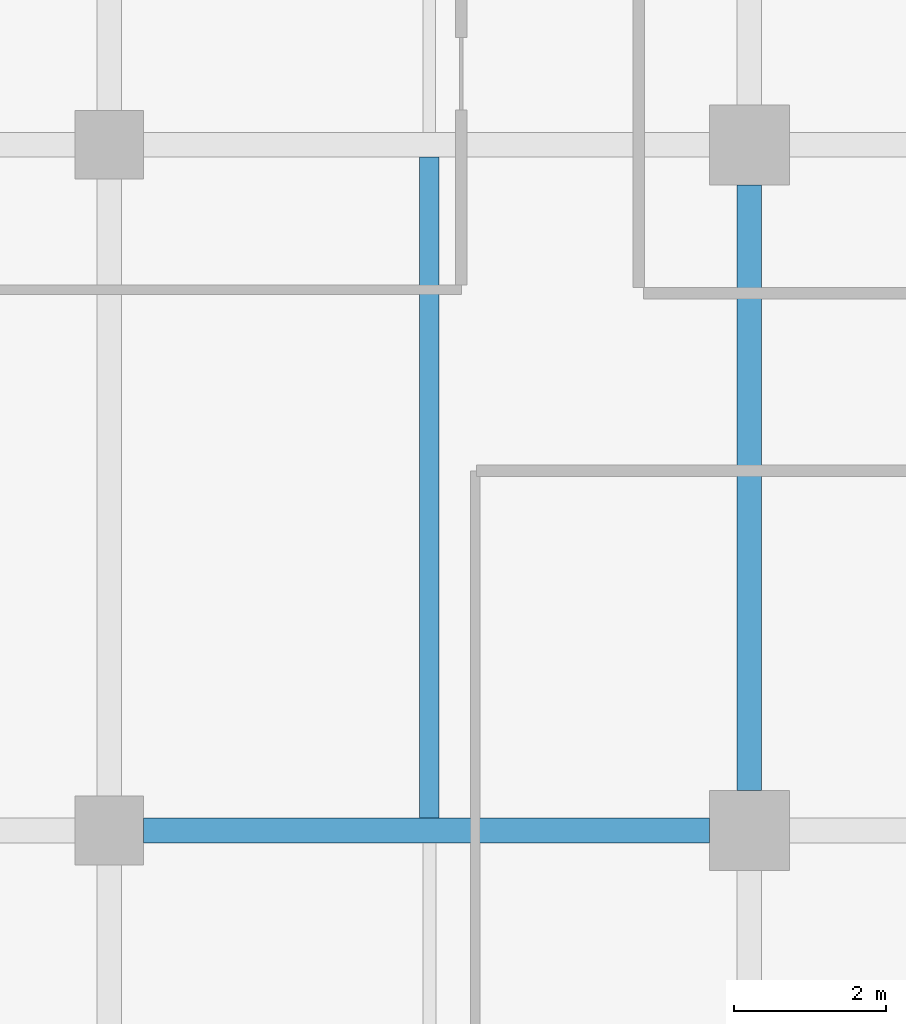
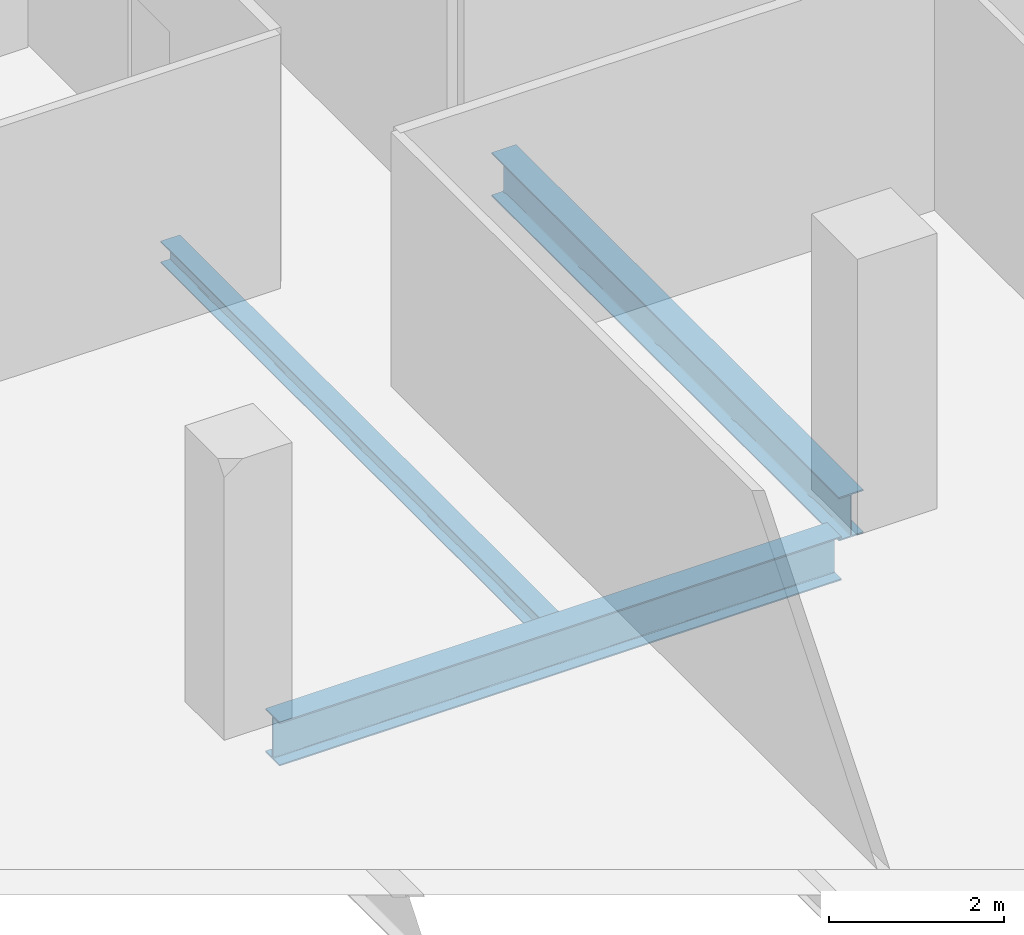
# One storey, part 6 of 39: 3 beams.
"""IFC4 building model written with IfcOpenShell, lengths in metres."""

from ifc_helpers import new_model, si_unit, direction, frame, origin, origin_2d, place, context, subcontext, project, spatial, i_section, extrude, material, material_profile, profile_set, type_object, element, save


model = new_model("IFC4")

# Units and contexts
model_context = context("Model", 3, precision=1e-05, world=origin(), true_north=direction((0.0, 1.0)))
body_context = subcontext(model_context, "Body", "Model", "MODEL_VIEW")
ifc_project = project(units=[si_unit("LENGTHUNIT", "METRE"), si_unit("AREAUNIT", "SQUARE_METRE"), si_unit("VOLUMEUNIT", "CUBIC_METRE"), si_unit("PLANEANGLEUNIT", "RADIAN"), si_unit("MASSUNIT", "GRAM", prefix="KILO")], contexts=[model_context])

# Site, building, storey
site_placement = place(None, origin())
site = spatial("IfcSite", under=ifc_project, at=site_placement, CompositionType="ELEMENT")
building_placement = place(site_placement, origin())
building = spatial("IfcBuilding", under=site, at=building_placement, Name="Maruvema Waterfront Hotel and Observation Tower", CompositionType="ELEMENT")
storey_placement = place(building_placement, frame((0.0, 0.0, 111.64990234375)))
storey = spatial("IfcBuildingStorey", under=building, at=storey_placement, Name="L27", CompositionType="ELEMENT", Elevation=111.64990234375)

# Beams
ifc_material_1 = material(Name="Steel ASTM A572 Grade 50", Category="steel")
ifc_material_profile_1 = material_profile(ifc_material_1, i_section(OverallWidth=0.323974609375, OverallDepth=0.611083984375, WebThickness=0.0126953125, FlangeThickness=0.01904296875, FilletRadius=0.01806640625, at=origin_2d()), Name="W610x155.0")
ifc_profile_set_1 = profile_set([ifc_material_profile_1], Name="Steel ASTM A572 Grade 50")
beam_type_1 = type_object("IfcBeamType", Name="Primary Floor Girder W610x155.0", PredefinedType="BEAM", material=ifc_profile_set_1)
beam_1_placement = place(storey_placement, frame((17.25, 9.0, -0.54541015625), z_axis=(1.0, 0.0, 0.0), x_axis=(0.0, 1.0, 0.0)))
element("IfcBeam", 1, at=beam_1_placement, inside=storey, type_object=beam_type_1, Name="L27 Floor Girder EW-07", PredefinedType="BEAM", context=body_context, shape_type="SweptSolid", body=[
    extrude(i_section(OverallWidth=0.323974609375, OverallDepth=0.611083984375, WebThickness=0.0126953125, FlangeThickness=0.01904296875, FilletRadius=0.01806640625, at=origin_2d()), origin(), (0.0, 0.0, 1.0), 7.425048828125),
])
beam_2_placement = place(storey_placement, frame((25.199951171875, 9.52490234375, -0.54541015625), z_axis=(0.0, 1.0, 0.0), x_axis=(-1.0, 0.0, 0.0)))
element("IfcBeam", 2, at=beam_2_placement, inside=storey, type_object=beam_type_1, Name="L27 Floor Girder NS-12", PredefinedType="BEAM", context=body_context, shape_type="SweptSolid", body=[
    extrude(i_section(OverallWidth=0.323974609375, OverallDepth=0.611083984375, WebThickness=0.0126953125, FlangeThickness=0.01904296875, FilletRadius=0.01806640625, at=origin_2d()), origin(), (0.0, 0.0, 1.0), 7.9501953125),
])
ifc_material_2 = material(Name="Steel ASTM A572 Grade 50", Category="steel")
ifc_material_profile_2 = material_profile(ifc_material_2, i_section(OverallWidth=0.25390625, OverallDepth=0.305908203125, WebThickness=0.0087890625, FlangeThickness=0.0146484375, FilletRadius=0.014892578125, at=origin_2d()), Name="W310x79.0")
ifc_profile_set_2 = profile_set([ifc_material_profile_2], Name="Steel ASTM A572 Grade 50")
beam_type_2 = type_object("IfcBeamType", Name="Secondary Floor Joist W310x79.0", PredefinedType="JOIST", material=ifc_profile_set_2)
beam_3_placement = place(storey_placement, frame((21.0, 9.162109375, -0.392822265625), z_axis=(0.0, 1.0, 0.0), x_axis=(-1.0, 0.0, 0.0)))
element("IfcBeam", 3, at=beam_3_placement, inside=storey, type_object=beam_type_2, Name="L27 Secondary Floor Joist JS-06", PredefinedType="JOIST", context=body_context, shape_type="SweptSolid", body=[
    extrude(i_section(OverallWidth=0.25390625, OverallDepth=0.305908203125, WebThickness=0.0087890625, FlangeThickness=0.0146484375, FilletRadius=0.014892578125, at=origin_2d()), origin(), (0.0, 0.0, 1.0), 8.67578125),
])

save(model, "model.ifc")
